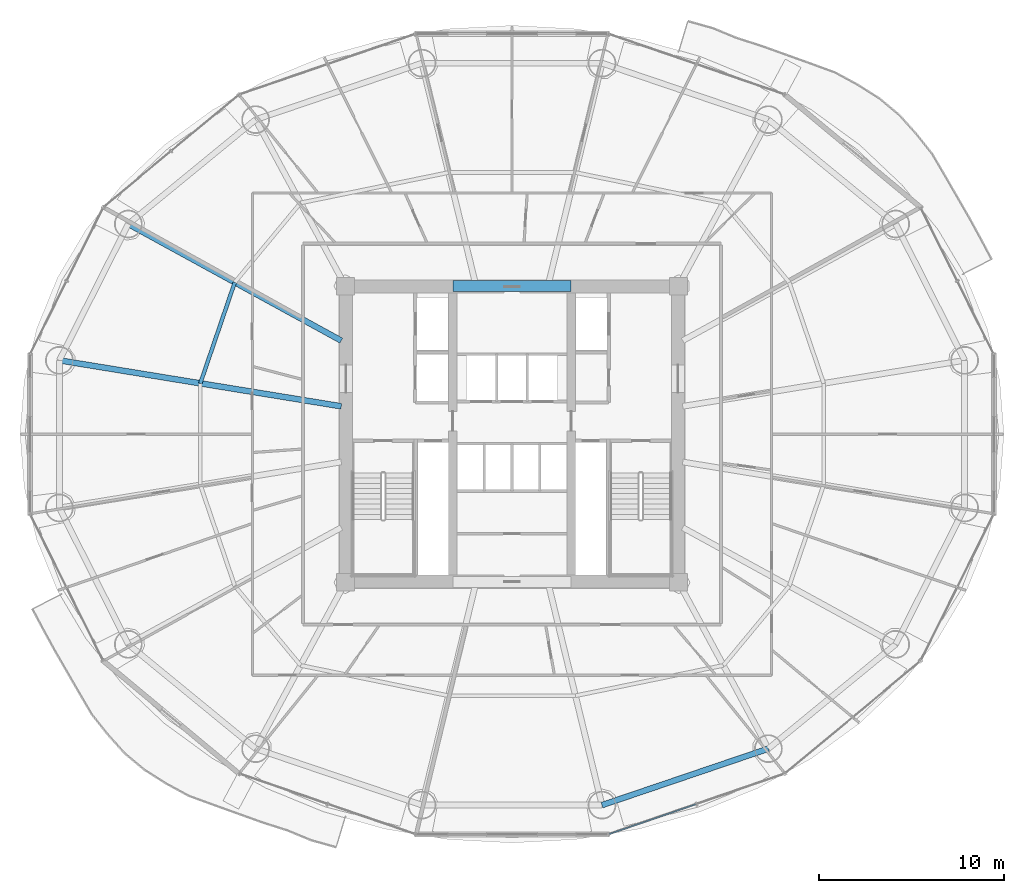
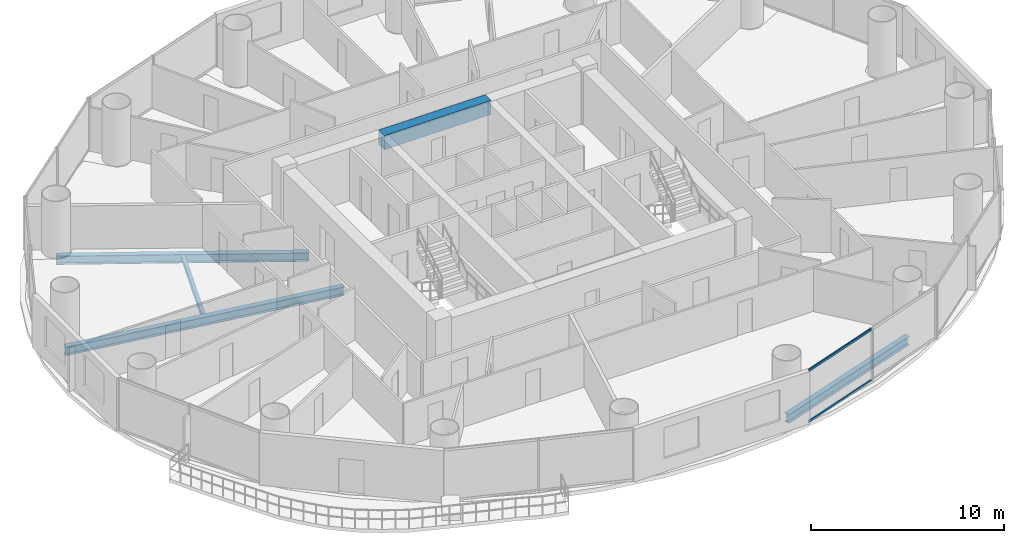
# One storey, part 10 of 29: 5 beams, 2 members, 1 element without a shape of its own.
"""IFC4 building model written with IfcOpenShell, lengths in metres."""

from ifc_helpers import new_model, si_unit, direction, frame, origin, origin_2d, place, context, subcontext, project, spatial, rectangle, hollow_rectangle, i_section, extrude, source, transform, mapped, material, material_profile, profile_set, type_object, element, aggregate, save


model = new_model("IFC4")

# Units and contexts
model_context = context("Model", 3, precision=1e-05, world=origin(), true_north=direction((-0.2419218956, 0.970295726276)))
body_context = subcontext(model_context, "Body", "Model", "MODEL_VIEW")
ifc_project = project(units=[si_unit("LENGTHUNIT", "METRE"), si_unit("AREAUNIT", "SQUARE_METRE"), si_unit("VOLUMEUNIT", "CUBIC_METRE"), si_unit("PLANEANGLEUNIT", "RADIAN"), si_unit("MASSUNIT", "GRAM", prefix="KILO")], contexts=[model_context])

# Site, building, storey
site_placement = place(None, origin())
site = spatial("IfcSite", under=ifc_project, at=site_placement, CompositionType="ELEMENT")
building_placement = place(site_placement, origin())
building = spatial("IfcBuilding", under=site, at=building_placement, Name="Cobrevalo Terracotta Tower", CompositionType="ELEMENT")
storey_placement = place(building_placement, frame((0.0, 0.0, 94.199951171875)))
storey = spatial("IfcBuildingStorey", under=building, at=storey_placement, Name="L24", CompositionType="ELEMENT", Elevation=94.199951171875)

# Beams
ifc_material_1 = material(Name="Concrete C60", Category="concrete")
ifc_material_profile_1 = material_profile(ifc_material_1, rectangle(XDim=0.60009765625, YDim=0.89990234375, at=origin_2d()), Name="RC CB 600x900")
ifc_profile_set_1 = profile_set([ifc_material_profile_1], Name="Concrete C60")
beam_type_1 = type_object("IfcBeamType", Name="Structural Beam RC CB 600x900 (Concrete C60)", PredefinedType="BEAM", material=ifc_profile_set_1)
beam_1_placement = place(storey_placement, frame((34.800048828125, 34.800048828125, 2.875), z_axis=(1.0, 0.0, 0.0), x_axis=(0.0, 1.0, 0.0)))
element("IfcBeam", 1, at=beam_1_placement, inside=storey, type_object=beam_type_1, Name="L24 core coupling beam 2", PredefinedType="BEAM", context=body_context, shape_type="SweptSolid", body=[
    extrude(rectangle(XDim=0.60009765625, YDim=0.89990234375, at=origin_2d()), origin(), (0.0, 0.0, 1.0), 6.39990234375),
])
ifc_material_2 = material(Name="Steel S355", Category="steel")
ifc_material_profile_2 = material_profile(ifc_material_2, i_section(OverallWidth=0.31201171875, OverallDepth=0.54296875, WebThickness=0.0126953125, FlangeThickness=0.020263671875, at=origin_2d()), Name="W 530x150")
ifc_profile_set_2 = profile_set([ifc_material_profile_2], Name="Steel S355")
beam_type_2 = type_object("IfcBeamType", Name="Structural Beam W 530x150 (Steel S355)", PredefinedType="BEAM", material=ifc_profile_set_2)
beam_2_placement = place(storey_placement, frame((17.2548828125, 38.161376953125, -0.54638671875), z_axis=(0.877080599376, -0.480343233738, 0.0), x_axis=(0.480343233738, 0.877080599376, 0.0)))
element("IfcBeam", 2, at=beam_2_placement, inside=storey, type_object=beam_type_2, Name="L24 radial floor girder 07", PredefinedType="BEAM", context=body_context, shape_type="SweptSolid", body=[
    extrude(i_section(OverallWidth=0.31201171875, OverallDepth=0.54296875, WebThickness=0.0126953125, FlangeThickness=0.020263671875, at=origin_2d()), origin(), (0.0, 0.0, 1.0), 13.12890625),
])
beam_3_placement = place(storey_placement, frame((13.529296875, 30.78955078125, -0.54638671875), z_axis=(0.986970567439, -0.160900898101, 0.0), x_axis=(0.160900898101, 0.986970567439, 0.0)))
element("IfcBeam", 3, at=beam_3_placement, inside=storey, type_object=beam_type_2, Name="L24 radial floor girder 08", PredefinedType="BEAM", context=body_context, shape_type="SweptSolid", body=[
    extrude(i_section(OverallWidth=0.31201171875, OverallDepth=0.54296875, WebThickness=0.0126953125, FlangeThickness=0.020263671875, at=origin_2d()), origin(), (0.0, 0.0, 1.0), 15.44189453125),
])
ifc_material_profile_3 = material_profile(ifc_material_2, i_section(OverallWidth=0.2041015625, OverallDepth=0.305908203125, WebThickness=0.008544921875, FlangeThickness=0.0146484375, at=origin_2d()), Name="W 310x67")
ifc_profile_set_3 = profile_set([ifc_material_profile_3], Name="Steel S355")
beam_type_3 = type_object("IfcBeamType", Name="Structural Joist W 310x67 (Steel S355)", PredefinedType="JOIST", material=ifc_profile_set_3)
beam_4_placement = place(storey_placement, frame((23.012451171875, 35.00830078125, -0.427978515625), z_axis=(-0.322833299398, -0.94645584197, 0.0), x_axis=(0.94645584197, -0.322833299398, 0.0)))
element("IfcBeam", 4, at=beam_4_placement, inside=storey, type_object=beam_type_3, Name="L24 circumferential secondary floor joist 07", PredefinedType="JOIST", context=body_context, shape_type="SweptSolid", body=[
    extrude(i_section(OverallWidth=0.2041015625, OverallDepth=0.305908203125, WebThickness=0.008544921875, FlangeThickness=0.0146484375, at=origin_2d()), origin(), (0.0, 0.0, 1.0), 5.77001953125),
])
ifc_material_profile_4 = material_profile(ifc_material_2, i_section(OverallWidth=0.31201171875, OverallDepth=0.54296875, WebThickness=0.0126953125, FlangeThickness=0.020263671875, at=origin_2d()), Name="W 530x150")
ifc_profile_set_4 = profile_set([ifc_material_profile_4], Name="Steel S355")
beam_type_4 = type_object("IfcBeamType", Name="Structural Spandrel W 530x150 (Steel S355)", PredefinedType="SPANDREL", material=ifc_profile_set_4)
beam_5_placement = place(storey_placement, frame((42.867431640625, 6.742919921875, -0.54638671875), z_axis=(0.94691835344, 0.321474154356, 0.0), x_axis=(-0.321474154356, 0.94691835344, 0.0)))
element("IfcBeam", 5, at=beam_5_placement, inside=storey, type_object=beam_type_4, Name="L24 perimeter ring spandrel 13", PredefinedType="SPANDREL", context=body_context, shape_type="SweptSolid", body=[
    extrude(i_section(OverallWidth=0.31201171875, OverallDepth=0.54296875, WebThickness=0.0126953125, FlangeThickness=0.020263671875, at=origin_2d()), origin(), (0.0, 0.0, 1.0), 9.498291015625),
])

# Curtain wall, members
ifc_material_3 = material(Name="Anodized aluminium", Category="aluminium")
curtain_wall_type = type_object("IfcCurtainWallType", Name="Lower-tower unitised acoustic low-E curtain wall CW-U1", PredefinedType="NOTDEFINED", material=ifc_material_3)
curtain_wall_placement = place(storey_placement, origin())
curtain_wall = element("IfcCurtainWall", 6, at=curtain_wall_placement, inside=storey, type_object=curtain_wall_type, Name="L24 curtain wall CW-L24-S13", PredefinedType="NOTDEFINED")
ifc_material_profile_5 = material_profile(ifc_material_3, hollow_rectangle(XDim=0.074951171875, YDim=0.14990234375, WallThickness=0.00439453125, at=origin_2d()), Name="CWT 75x150")
ifc_profile_set_5 = profile_set([ifc_material_profile_5], Name="Anodized aluminium")
member_type = type_object("IfcMemberType", Name="Tower unitised aluminium transom 75x150", PredefinedType="USERDEFINED", material=ifc_profile_set_5)
shared_shape = source(origin(), body_context, "Body", "SweptSolid", [
    extrude(hollow_rectangle(XDim=0.074951171875, YDim=0.14990234375, WallThickness=0.00439453125, at=origin_2d()), origin(), (0.0, 0.0, 1.0), 4.944580078125),
])
member_1_placement = place(storey_placement, frame((43.25927734375, 5.18017578125, 0.050048828125), z_axis=(0.945597859971, 0.32533780478, 0.0), x_axis=(-0.32533780478, 0.945597859971, 0.0)))
member_1 = element("IfcMember", 7, at=member_1_placement, type_object=member_type, Name="CW-L24-S13 transom B01-T1", ObjectType="TRANSOM", PredefinedType="USERDEFINED", context=body_context, shape_type="MappedRepresentation", body=[
    mapped(shared_shape, transform((0.0, 0.0, 0.0), scale=1.0)),
])
member_2_placement = place(storey_placement, frame((43.25927734375, 5.18017578125, 3.275146484375), z_axis=(0.945597859971, 0.32533780478, 0.0), x_axis=(-0.32533780478, 0.945597859971, 0.0)))
member_2 = element("IfcMember", 8, at=member_2_placement, type_object=member_type, Name="CW-L24-S13 transom B01-T2", ObjectType="TRANSOM", PredefinedType="USERDEFINED", context=body_context, shape_type="MappedRepresentation", body=[
    mapped(shared_shape, transform((0.0, 0.0, 0.0), scale=1.0)),
])
aggregate(curtain_wall, [member_1, member_2])

save(model, "model.ifc")
